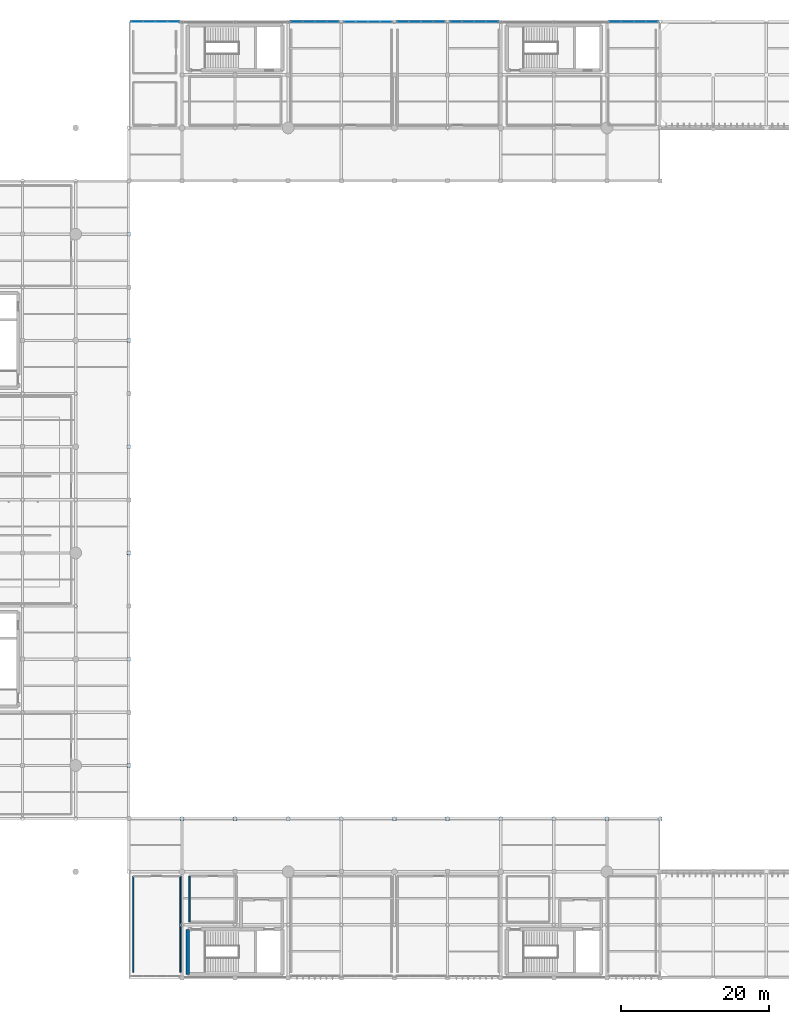
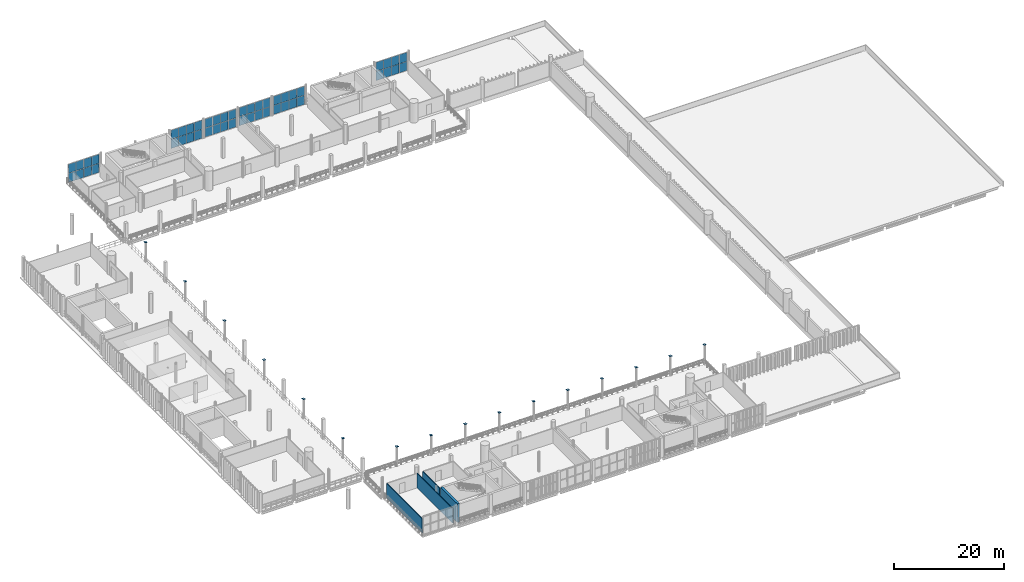
# One storey, part 56 of 81: 64 plates, 4 walls, 6 elements without a shape of their own.
"""IFC4 building model written with IfcOpenShell, lengths in metres."""

import ifcopenshell
import ifcopenshell.guid

model = None  # the IFC model being written
_history = None  # IfcOwnerHistory: only IFC2X3 demands one
_inside = {}  # id of a spatial element -> (the spatial element, [elements in it])
_under = {}  # id of a project, library or spatial element -> (it, [spatial elements below it])
_declared = {}  # id of a project -> (the project, [libraries it declares])
_typed = {}  # id of a type object -> (the type object, [elements of that type])
_made_of = {}  # id of a material, layer set ... -> (it, [elements and type objects made of it])


def new_model(schema):
    """Start an empty IFC model of exactly this schema.

    Asked for "IFC4X3", IfcOpenShell would pick the latest addendum, in which some entities
    have other attributes; the version numbers below select the first issue.
    IFC2X3 requires an IfcOwnerHistory on every rooted entity: one is made here for all.
    """
    global model, _history
    if schema == "IFC4X3":
        model = ifcopenshell.file(schema_version=(4, 3, 0, 0))
    else:
        model = ifcopenshell.file(schema=schema)
    _inside.clear()
    _under.clear()
    _declared.clear()
    _typed.clear()
    _made_of.clear()
    _history = None
    if model.schema == "IFC2X3":
        org = make("IfcOrganization", Name="unknown")
        user = make(
            "IfcPersonAndOrganization",
            ThePerson=make("IfcPerson", FamilyName="unknown"),
            TheOrganization=org,
        )
        app = make(
            "IfcApplication",
            ApplicationDeveloper=org,
            Version="unknown",
            ApplicationFullName="unknown",
            ApplicationIdentifier="unknown",
        )
        _history = make(
            "IfcOwnerHistory",
            OwningUser=user,
            OwningApplication=app,
            ChangeAction="ADDED",
            CreationDate=0,
        )
    return model


def make(cls, **values):
    """One entity of the class cls with the attributes given. An attribute that is None is left unset."""
    return model.create_entity(
        cls, **{name: value for name, value in values.items() if value is not None}
    )


def rooted(cls, **values):
    """An entity with a GlobalId (a new one), such as an element, a storey or a relation."""
    return make(cls, GlobalId=ifcopenshell.guid.new(), OwnerHistory=_history, **values)


def si_unit(unit_type, name, prefix=None):
    """IfcSIUnit, for example si_unit("LENGTHUNIT", "METRE", prefix="MILLI")."""
    return make("IfcSIUnit", UnitType=unit_type, Prefix=prefix, Name=name)


def assignment(units):
    """IfcUnitAssignment: the units of a project."""
    return None if units is None else make("IfcUnitAssignment", Units=units)


def point(xyz):
    """IfcCartesianPoint."""
    return None if xyz is None else make("IfcCartesianPoint", Coordinates=xyz)


def direction(xyz):
    """IfcDirection."""
    return None if xyz is None else make("IfcDirection", DirectionRatios=xyz)


def frame(location, z_axis=None, x_axis=None):
    """IfcAxis2Placement3D, a coordinate frame: its origin and axes. An axis left out is left unset."""
    return make(
        "IfcAxis2Placement3D",
        Location=point(location),
        Axis=direction(z_axis),
        RefDirection=direction(x_axis),
    )


def frame_2d(location, x_axis=None):
    """IfcAxis2Placement2D, a coordinate frame in the plane: its origin and x axis."""
    return make(
        "IfcAxis2Placement2D", Location=point(location), RefDirection=direction(x_axis)
    )


def origin():
    """The frame at (0, 0, 0) with its axes left unset."""
    return frame((0.0, 0.0, 0.0))


def origin_2d():
    """The frame at (0, 0) in the plane with its x axis left unset."""
    return frame_2d((0.0, 0.0))


def place(relative_to, where):
    """IfcLocalPlacement: puts the frame where relative to a parent placement (None: the world)."""
    return make(
        "IfcLocalPlacement", PlacementRelTo=relative_to, RelativePlacement=where
    )


def context(
    kind, dimensions, precision=None, world=None, true_north=None, identifier=None
):
    """IfcGeometricRepresentationContext, for example the 3D "Model" context."""
    return make(
        "IfcGeometricRepresentationContext",
        ContextIdentifier=identifier,
        ContextType=kind,
        CoordinateSpaceDimension=dimensions,
        Precision=precision,
        WorldCoordinateSystem=world,
        TrueNorth=true_north,
    )


def subcontext(parent, identifier, kind, view, scale=None):
    """IfcGeometricRepresentationSubContext, for example "Body" below "Model"."""
    return make(
        "IfcGeometricRepresentationSubContext",
        ContextIdentifier=identifier,
        ContextType=kind,
        ParentContext=parent,
        TargetScale=scale,
        TargetView=view,
    )


def project(units=None, contexts=None):
    """IfcProject with its units and contexts."""
    return rooted(
        "IfcProject",
        Name="project",
        RepresentationContexts=contexts,
        UnitsInContext=assignment(units),
    )


def spatial(cls, under=None, at=None, **own):
    """A site, building, storey or space (cls), placed at a placement, below another one or the project."""
    s = rooted(cls, ObjectPlacement=at, **own)
    if under is not None:
        _under.setdefault(under.id(), (under, []))[1].append(s)
    return s


def profile(cls, at=None, kind="AREA", **sizes):
    """A parametric profile (cls). Its sizes go by their IFC names, for example OverallWidth=200.0."""
    return make(cls, ProfileType=kind, Position=at, **sizes)


def rectangle(**sizes):
    """IfcRectangleProfileDef."""
    return profile("IfcRectangleProfileDef", **sizes)


def extrude(swept, where, along, depth):
    """IfcExtrudedAreaSolid: the profile swept, set in the frame where, extruded along a direction by depth."""
    return make(
        "IfcExtrudedAreaSolid",
        SweptArea=swept,
        Position=where,
        ExtrudedDirection=direction(along),
        Depth=depth,
    )


def shape(context_of_items, identifier, shape_type, items):
    """IfcShapeRepresentation: the items that make up one representation, for example the "Body"."""
    return make(
        "IfcShapeRepresentation",
        ContextOfItems=context_of_items,
        RepresentationIdentifier=identifier,
        RepresentationType=shape_type,
        Items=items,
    )


def material(Name=None, Category=None):
    """IfcMaterial."""
    return make("IfcMaterial", Name=Name, Category=Category)


def layer(
    of_material, thickness, ventilated=None, Name=None, Category=None, Priority=None
):
    """IfcMaterialLayer: one layer of a wall or slab, of a material (None: an air gap)."""
    return make(
        "IfcMaterialLayer",
        Material=of_material,
        LayerThickness=thickness,
        IsVentilated=ventilated,
        Name=Name,
        Category=Category,
        Priority=Priority,
    )


def layer_set(layers, Name=None):
    """IfcMaterialLayerSet."""
    return make("IfcMaterialLayerSet", MaterialLayers=layers, LayerSetName=Name)


def made_of(thing, what):
    """Note that an element or type object is made of a material, layer set ...; save() writes the relation."""
    if what is not None:
        _made_of.setdefault(what.id(), (what, []))[1].append(thing)
    return thing


def type_object(cls, material=None, **own):
    """A type object (cls), such as IfcWallType, which elements share."""
    return made_of(rooted(cls, **own), material)


def element(
    cls,
    number,
    at=None,
    inside=None,
    cuts=None,
    type_object=None,
    material=None,
    context=None,
    identifier="Body",
    shape_type=None,
    held_by="IfcProductDefinitionShape",
    body=None,
    shapes=None,
    **own,
):
    """One element of the class cls, such as IfcWall. Its Tag is "e" and its number.

    at: its placement. inside: the storey or other place that contains it. cuts: it is an
    opening in that element (IfcRelVoidsElement). A single representation is given by context,
    identifier, shape_type and body (its items); several are given by shapes. held_by: the class
    of the entity that holds the representations. save() writes the other relations.
    """
    e = rooted(cls, Tag="e%d" % number, ObjectPlacement=at, **own)
    if body is not None:
        shapes = [shape(context, identifier, shape_type, body)]
    if shapes is not None:
        e.Representation = make(held_by, Representations=shapes)
    if inside is not None:
        _inside.setdefault(inside.id(), (inside, []))[1].append(e)
    if cuts is not None:
        rooted(
            "IfcRelVoidsElement", RelatingBuildingElement=cuts, RelatedOpeningElement=e
        )
    if type_object is not None:
        _typed.setdefault(type_object.id(), (type_object, []))[1].append(e)
    return made_of(e, material)


def aggregate(whole, parts):
    """IfcRelAggregates: a whole, such as a stair, and the parts it consists of."""
    return rooted("IfcRelAggregates", RelatingObject=whole, RelatedObjects=parts)


def save(model, path):
    """Write the relations noted so far, then the file.

    IfcRelAggregates (storeys below a building ...), IfcRelContainedInSpatialStructure (elements
    in a storey), IfcRelDefinesByType, IfcRelAssociatesMaterial and IfcRelDeclares: one each for
    every whole, place, type object, material and project.
    """
    for whole, parts in _under.values():
        aggregate(whole, parts)
    for where, things in _inside.values():
        rooted(
            "IfcRelContainedInSpatialStructure",
            RelatedElements=things,
            RelatingStructure=where,
        )
    for kind, things in _typed.values():
        rooted("IfcRelDefinesByType", RelatedObjects=things, RelatingType=kind)
    for what, things in _made_of.values():
        rooted("IfcRelAssociatesMaterial", RelatedObjects=things, RelatingMaterial=what)
    for by, libraries in _declared.values():
        rooted("IfcRelDeclares", RelatingContext=by, RelatedDefinitions=libraries)
    model.write(path)


model = new_model("IFC4")

# Units and contexts
model_context = context("Model", 3, precision=1e-05, world=origin(), true_north=direction((0.0, 1.0)))
body_context = subcontext(model_context, "Body", "Model", "MODEL_VIEW")
ifc_project = project(units=[si_unit("LENGTHUNIT", "METRE"), si_unit("AREAUNIT", "SQUARE_METRE"), si_unit("VOLUMEUNIT", "CUBIC_METRE"), si_unit("PLANEANGLEUNIT", "RADIAN"), si_unit("MASSUNIT", "GRAM", prefix="KILO")], contexts=[model_context])

# Site, building, storey
site_placement = place(None, origin())
site = spatial("IfcSite", under=ifc_project, at=site_placement, CompositionType="ELEMENT")
building_placement = place(site_placement, origin())
building = spatial("IfcBuilding", under=site, at=building_placement, Name="Qandorah Velis Arena", CompositionType="ELEMENT")
storey_placement = place(building_placement, frame((0.0, 0.0, 18.60009765625)))
storey = spatial("IfcBuildingStorey", under=building, at=storey_placement, Name="L04", CompositionType="ELEMENT", Elevation=18.60009765625)

# Curtain wall, plates
ifc_material_1 = material(Name="Solar-control low-E double glazing", Category="glass")
curtain_wall_type_1 = type_object("IfcCurtainWallType", Name="ARC-CW-SYS22", PredefinedType="USERDEFINED", material=ifc_material_1)
curtain_wall_1_placement = place(storey_placement, origin())
curtain_wall_1 = element("IfcCurtainWall", 1, at=curtain_wall_1_placement, inside=storey, type_object=curtain_wall_type_1, Name="Unitised curtain wall L04-094", ObjectType="UNITISED CURTAIN WALL", PredefinedType="USERDEFINED")
ifc_layer_1 = layer(ifc_material_1, 0.02392578125)
ifc_layer_set_1 = layer_set([ifc_layer_1], Name="Solar-control low-E double glazing")
plate_type_1 = type_object("IfcPlateType", Name="ARC-CWP-GLZ24", PredefinedType="CURTAIN_PANEL", material=ifc_layer_set_1)
plate_1_placement = place(storey_placement, frame((58.7412109375, 129.60009765625, 0.054931640625), z_axis=(0.0, 0.0, 1.0), x_axis=(1.0, 0.0, 0.0)))
plate_1 = element("IfcPlate", 2, at=plate_1_placement, type_object=plate_type_1, Name="CW22 panel 1.1", PredefinedType="CURTAIN_PANEL", context=body_context, shape_type="SweptSolid", body=[
    extrude(rectangle(XDim=1.572509765625, YDim=0.02392578125, at=origin_2d()), origin(), (0.0, 0.0, 1.0), 1.99755859375),
])
plate_2_placement = place(storey_placement, frame((58.7412109375, 129.60009765625, 2.097412109375), z_axis=(0.0, 0.0, 1.0), x_axis=(1.0, 0.0, 0.0)))
plate_2 = element("IfcPlate", 3, at=plate_2_placement, type_object=plate_type_1, Name="CW22 panel 1.2", PredefinedType="CURTAIN_PANEL", context=body_context, shape_type="SweptSolid", body=[
    extrude(rectangle(XDim=1.572509765625, YDim=0.02392578125, at=origin_2d()), origin(), (0.0, 0.0, 1.0), 1.99755859375),
])
plate_3_placement = place(storey_placement, frame((60.375, 129.60009765625, 0.054931640625), z_axis=(0.0, 0.0, 1.0), x_axis=(1.0, 0.0, 0.0)))
plate_3 = element("IfcPlate", 4, at=plate_3_placement, type_object=plate_type_1, Name="CW22 panel 2.1", PredefinedType="CURTAIN_PANEL", context=body_context, shape_type="SweptSolid", body=[
    extrude(rectangle(XDim=1.60498046875, YDim=0.02392578125, at=origin_2d()), origin(), (0.0, 0.0, 1.0), 1.99755859375),
])
plate_4_placement = place(storey_placement, frame((60.375, 129.60009765625, 2.097412109375), z_axis=(0.0, 0.0, 1.0), x_axis=(1.0, 0.0, 0.0)))
plate_4 = element("IfcPlate", 5, at=plate_4_placement, type_object=plate_type_1, Name="CW22 panel 2.2", PredefinedType="CURTAIN_PANEL", context=body_context, shape_type="SweptSolid", body=[
    extrude(rectangle(XDim=1.60498046875, YDim=0.02392578125, at=origin_2d()), origin(), (0.0, 0.0, 1.0), 1.99755859375),
])
plate_5_placement = place(storey_placement, frame((62.02490234375, 129.60009765625, 0.054931640625), z_axis=(0.0, 0.0, 1.0), x_axis=(1.0, 0.0, 0.0)))
plate_5 = element("IfcPlate", 6, at=plate_5_placement, type_object=plate_type_1, Name="CW22 panel 3.1", PredefinedType="CURTAIN_PANEL", context=body_context, shape_type="SweptSolid", body=[
    extrude(rectangle(XDim=1.60498046875, YDim=0.02392578125, at=origin_2d()), origin(), (0.0, 0.0, 1.0), 1.99755859375),
])
plate_6_placement = place(storey_placement, frame((62.02490234375, 129.60009765625, 2.097412109375), z_axis=(0.0, 0.0, 1.0), x_axis=(1.0, 0.0, 0.0)))
plate_6 = element("IfcPlate", 7, at=plate_6_placement, type_object=plate_type_1, Name="CW22 panel 3.2", PredefinedType="CURTAIN_PANEL", context=body_context, shape_type="SweptSolid", body=[
    extrude(rectangle(XDim=1.60498046875, YDim=0.02392578125, at=origin_2d()), origin(), (0.0, 0.0, 1.0), 1.99755859375),
])
plate_7_placement = place(storey_placement, frame((63.65869140625, 129.60009765625, 0.054931640625), z_axis=(0.0, 0.0, 1.0), x_axis=(1.0, 0.0, 0.0)))
plate_7 = element("IfcPlate", 8, at=plate_7_placement, type_object=plate_type_1, Name="CW22 panel 4.1", PredefinedType="CURTAIN_PANEL", context=body_context, shape_type="SweptSolid", body=[
    extrude(rectangle(XDim=1.572509765625, YDim=0.02392578125, at=origin_2d()), origin(), (0.0, 0.0, 1.0), 1.99755859375),
])
plate_8_placement = place(storey_placement, frame((63.65869140625, 129.60009765625, 2.097412109375), z_axis=(0.0, 0.0, 1.0), x_axis=(1.0, 0.0, 0.0)))
plate_8 = element("IfcPlate", 9, at=plate_8_placement, type_object=plate_type_1, Name="CW22 panel 4.2", PredefinedType="CURTAIN_PANEL", context=body_context, shape_type="SweptSolid", body=[
    extrude(rectangle(XDim=1.572509765625, YDim=0.02392578125, at=origin_2d()), origin(), (0.0, 0.0, 1.0), 1.99755859375),
])
aggregate(curtain_wall_1, [plate_1, plate_2, plate_3, plate_4, plate_5, plate_6, plate_7, plate_8])

curtain_wall_type_2 = type_object("IfcCurtainWallType", Name="ARC-CW-SYS21", PredefinedType="USERDEFINED", material=ifc_material_1)
curtain_wall_2_placement = place(storey_placement, origin())
curtain_wall_2 = element("IfcCurtainWall", 10, at=curtain_wall_2_placement, inside=storey, type_object=curtain_wall_type_2, Name="Unitised curtain wall L04-093", ObjectType="UNITISED CURTAIN WALL", PredefinedType="USERDEFINED")
ifc_layer_2 = layer(ifc_material_1, 0.028076171875)
ifc_layer_set_2 = layer_set([ifc_layer_2], Name="Solar-control low-E double glazing")
plate_type_2 = type_object("IfcPlateType", Name="ARC-CWP-GLZ28", PredefinedType="CURTAIN_PANEL", material=ifc_layer_set_2)
plate_9_placement = place(storey_placement, frame((51.543701171875, 129.60009765625, 0.06494140625), z_axis=(0.0, 0.0, 1.0), x_axis=(1.0, 0.0, 0.0)))
plate_9 = element("IfcPlate", 11, at=plate_9_placement, type_object=plate_type_2, Name="CW21 panel 1.1", PredefinedType="CURTAIN_PANEL", context=body_context, shape_type="SweptSolid", body=[
    extrude(rectangle(XDim=1.5576171875, YDim=0.028076171875, at=origin_2d()), origin(), (0.0, 0.0, 1.0), 1.982421875),
])
plate_10_placement = place(storey_placement, frame((51.543701171875, 129.60009765625, 2.1025390625), z_axis=(0.0, 0.0, 1.0), x_axis=(1.0, 0.0, 0.0)))
plate_10 = element("IfcPlate", 12, at=plate_10_placement, type_object=plate_type_2, Name="CW21 panel 1.2", PredefinedType="CURTAIN_PANEL", context=body_context, shape_type="SweptSolid", body=[
    extrude(rectangle(XDim=1.5576171875, YDim=0.028076171875, at=origin_2d()), origin(), (0.0, 0.0, 1.0), 1.982421875),
])
plate_11_placement = place(storey_placement, frame((53.175048828125, 129.60009765625, 0.06494140625), z_axis=(0.0, 0.0, 1.0), x_axis=(1.0, 0.0, 0.0)))
plate_11 = element("IfcPlate", 13, at=plate_11_placement, type_object=plate_type_2, Name="CW21 panel 2.1", PredefinedType="CURTAIN_PANEL", context=body_context, shape_type="SweptSolid", body=[
    extrude(rectangle(XDim=1.594970703125, YDim=0.028076171875, at=origin_2d()), origin(), (0.0, 0.0, 1.0), 1.982421875),
])
plate_12_placement = place(storey_placement, frame((53.175048828125, 129.60009765625, 2.1025390625), z_axis=(0.0, 0.0, 1.0), x_axis=(1.0, 0.0, 0.0)))
plate_12 = element("IfcPlate", 14, at=plate_12_placement, type_object=plate_type_2, Name="CW21 panel 2.2", PredefinedType="CURTAIN_PANEL", context=body_context, shape_type="SweptSolid", body=[
    extrude(rectangle(XDim=1.594970703125, YDim=0.028076171875, at=origin_2d()), origin(), (0.0, 0.0, 1.0), 1.982421875),
])
plate_13_placement = place(storey_placement, frame((54.824951171875, 129.60009765625, 0.06494140625), z_axis=(0.0, 0.0, 1.0), x_axis=(1.0, 0.0, 0.0)))
plate_13 = element("IfcPlate", 15, at=plate_13_placement, type_object=plate_type_2, Name="CW21 panel 3.1", PredefinedType="CURTAIN_PANEL", context=body_context, shape_type="SweptSolid", body=[
    extrude(rectangle(XDim=1.594970703125, YDim=0.028076171875, at=origin_2d()), origin(), (0.0, 0.0, 1.0), 1.982421875),
])
plate_14_placement = place(storey_placement, frame((54.824951171875, 129.60009765625, 2.1025390625), z_axis=(0.0, 0.0, 1.0), x_axis=(1.0, 0.0, 0.0)))
plate_14 = element("IfcPlate", 16, at=plate_14_placement, type_object=plate_type_2, Name="CW21 panel 3.2", PredefinedType="CURTAIN_PANEL", context=body_context, shape_type="SweptSolid", body=[
    extrude(rectangle(XDim=1.594970703125, YDim=0.028076171875, at=origin_2d()), origin(), (0.0, 0.0, 1.0), 1.982421875),
])
plate_15_placement = place(storey_placement, frame((56.456298828125, 129.60009765625, 0.06494140625), z_axis=(0.0, 0.0, 1.0), x_axis=(1.0, 0.0, 0.0)))
plate_15 = element("IfcPlate", 17, at=plate_15_placement, type_object=plate_type_2, Name="CW21 panel 4.1", PredefinedType="CURTAIN_PANEL", context=body_context, shape_type="SweptSolid", body=[
    extrude(rectangle(XDim=1.5576171875, YDim=0.028076171875, at=origin_2d()), origin(), (0.0, 0.0, 1.0), 1.982421875),
])
plate_16_placement = place(storey_placement, frame((56.456298828125, 129.60009765625, 2.1025390625), z_axis=(0.0, 0.0, 1.0), x_axis=(1.0, 0.0, 0.0)))
plate_16 = element("IfcPlate", 18, at=plate_16_placement, type_object=plate_type_2, Name="CW21 panel 4.2", PredefinedType="CURTAIN_PANEL", context=body_context, shape_type="SweptSolid", body=[
    extrude(rectangle(XDim=1.5576171875, YDim=0.028076171875, at=origin_2d()), origin(), (0.0, 0.0, 1.0), 1.982421875),
])
aggregate(curtain_wall_2, [plate_9, plate_10, plate_11, plate_12, plate_13, plate_14, plate_15, plate_16])

curtain_wall_type_3 = type_object("IfcCurtainWallType", Name="ARC-CW-SYS20", PredefinedType="USERDEFINED", material=ifc_material_1)
curtain_wall_3_placement = place(storey_placement, origin())
curtain_wall_3 = element("IfcCurtainWall", 19, at=curtain_wall_3_placement, inside=storey, type_object=curtain_wall_type_3, Name="Unitised curtain wall L04-092", ObjectType="UNITISED CURTAIN WALL", PredefinedType="USERDEFINED")
ifc_layer_3 = layer(ifc_material_1, 0.030029296875)
ifc_layer_set_3 = layer_set([ifc_layer_3], Name="Solar-control low-E double glazing")
plate_type_3 = type_object("IfcPlateType", Name="ARC-CWP-GLZ30", PredefinedType="CURTAIN_PANEL", material=ifc_layer_set_3)
plate_17_placement = place(storey_placement, frame((44.3388671875, 129.60009765625, 0.044921875), z_axis=(0.0, 0.0, 1.0), x_axis=(1.0, 0.0, 0.0)))
plate_17 = element("IfcPlate", 20, at=plate_17_placement, type_object=plate_type_3, Name="CW20 panel 1.1", PredefinedType="CURTAIN_PANEL", context=body_context, shape_type="SweptSolid", body=[
    extrude(rectangle(XDim=1.58740234375, YDim=0.030029296875, at=origin_2d()), origin(), (0.0, 0.0, 1.0), 2.012451171875),
])
plate_18_placement = place(storey_placement, frame((44.3388671875, 129.60009765625, 2.09228515625), z_axis=(0.0, 0.0, 1.0), x_axis=(1.0, 0.0, 0.0)))
plate_18 = element("IfcPlate", 21, at=plate_18_placement, type_object=plate_type_3, Name="CW20 panel 1.2", PredefinedType="CURTAIN_PANEL", context=body_context, shape_type="SweptSolid", body=[
    extrude(rectangle(XDim=1.58740234375, YDim=0.030029296875, at=origin_2d()), origin(), (0.0, 0.0, 1.0), 2.012451171875),
])
plate_19_placement = place(storey_placement, frame((45.97509765625, 129.60009765625, 0.044921875), z_axis=(0.0, 0.0, 1.0), x_axis=(1.0, 0.0, 0.0)))
plate_19 = element("IfcPlate", 22, at=plate_19_placement, type_object=plate_type_3, Name="CW20 panel 2.1", PredefinedType="CURTAIN_PANEL", context=body_context, shape_type="SweptSolid", body=[
    extrude(rectangle(XDim=1.614990234375, YDim=0.030029296875, at=origin_2d()), origin(), (0.0, 0.0, 1.0), 2.012451171875),
])
plate_20_placement = place(storey_placement, frame((45.97509765625, 129.60009765625, 2.09228515625), z_axis=(0.0, 0.0, 1.0), x_axis=(1.0, 0.0, 0.0)))
plate_20 = element("IfcPlate", 23, at=plate_20_placement, type_object=plate_type_3, Name="CW20 panel 2.2", PredefinedType="CURTAIN_PANEL", context=body_context, shape_type="SweptSolid", body=[
    extrude(rectangle(XDim=1.614990234375, YDim=0.030029296875, at=origin_2d()), origin(), (0.0, 0.0, 1.0), 2.012451171875),
])
plate_21_placement = place(storey_placement, frame((47.625, 129.60009765625, 0.044921875), z_axis=(0.0, 0.0, 1.0), x_axis=(1.0, 0.0, 0.0)))
plate_21 = element("IfcPlate", 24, at=plate_21_placement, type_object=plate_type_3, Name="CW20 panel 3.1", PredefinedType="CURTAIN_PANEL", context=body_context, shape_type="SweptSolid", body=[
    extrude(rectangle(XDim=1.614990234375, YDim=0.030029296875, at=origin_2d()), origin(), (0.0, 0.0, 1.0), 2.012451171875),
])
plate_22_placement = place(storey_placement, frame((47.625, 129.60009765625, 2.09228515625), z_axis=(0.0, 0.0, 1.0), x_axis=(1.0, 0.0, 0.0)))
plate_22 = element("IfcPlate", 25, at=plate_22_placement, type_object=plate_type_3, Name="CW20 panel 3.2", PredefinedType="CURTAIN_PANEL", context=body_context, shape_type="SweptSolid", body=[
    extrude(rectangle(XDim=1.614990234375, YDim=0.030029296875, at=origin_2d()), origin(), (0.0, 0.0, 1.0), 2.012451171875),
])
plate_23_placement = place(storey_placement, frame((49.26123046875, 129.60009765625, 0.044921875), z_axis=(0.0, 0.0, 1.0), x_axis=(1.0, 0.0, 0.0)))
plate_23 = element("IfcPlate", 26, at=plate_23_placement, type_object=plate_type_3, Name="CW20 panel 4.1", PredefinedType="CURTAIN_PANEL", context=body_context, shape_type="SweptSolid", body=[
    extrude(rectangle(XDim=1.58740234375, YDim=0.030029296875, at=origin_2d()), origin(), (0.0, 0.0, 1.0), 2.012451171875),
])
plate_24_placement = place(storey_placement, frame((49.26123046875, 129.60009765625, 2.09228515625), z_axis=(0.0, 0.0, 1.0), x_axis=(1.0, 0.0, 0.0)))
plate_24 = element("IfcPlate", 27, at=plate_24_placement, type_object=plate_type_3, Name="CW20 panel 4.2", PredefinedType="CURTAIN_PANEL", context=body_context, shape_type="SweptSolid", body=[
    extrude(rectangle(XDim=1.58740234375, YDim=0.030029296875, at=origin_2d()), origin(), (0.0, 0.0, 1.0), 2.012451171875),
])
aggregate(curtain_wall_3, [plate_17, plate_18, plate_19, plate_20, plate_21, plate_22, plate_23, plate_24])

curtain_wall_type_4 = type_object("IfcCurtainWallType", Name="ARC-CW-SYS19", PredefinedType="USERDEFINED", material=ifc_material_1)
curtain_wall_4_placement = place(storey_placement, origin())
curtain_wall_4 = element("IfcCurtainWall", 28, at=curtain_wall_4_placement, inside=storey, type_object=curtain_wall_type_4, Name="Unitised curtain wall L04-091", ObjectType="UNITISED CURTAIN WALL", PredefinedType="USERDEFINED")
ifc_layer_4 = layer(ifc_material_1, 0.035888671875)
ifc_layer_set_4 = layer_set([ifc_layer_4], Name="Solar-control low-E double glazing")
plate_type_4 = type_object("IfcPlateType", Name="ARC-CWP-GLZ36", PredefinedType="CURTAIN_PANEL", material=ifc_layer_set_4)
plate_25_placement = place(storey_placement, frame((22.739990234375, 129.60009765625, 0.050048828125), z_axis=(0.0, 0.0, 1.0), x_axis=(1.0, 0.0, 0.0)))
plate_25 = element("IfcPlate", 29, at=plate_25_placement, type_object=plate_type_4, Name="CW19 panel 1.1", PredefinedType="CURTAIN_PANEL", context=body_context, shape_type="SweptSolid", body=[
    extrude(rectangle(XDim=1.580078125, YDim=0.035888671875, at=origin_2d()), origin(), (0.0, 0.0, 1.0), 2.0048828125),
])
plate_26_placement = place(storey_placement, frame((22.739990234375, 129.60009765625, 2.094970703125), z_axis=(0.0, 0.0, 1.0), x_axis=(1.0, 0.0, 0.0)))
plate_26 = element("IfcPlate", 30, at=plate_26_placement, type_object=plate_type_4, Name="CW19 panel 1.2", PredefinedType="CURTAIN_PANEL", context=body_context, shape_type="SweptSolid", body=[
    extrude(rectangle(XDim=1.580078125, YDim=0.035888671875, at=origin_2d()), origin(), (0.0, 0.0, 1.0), 2.0048828125),
])
plate_27_placement = place(storey_placement, frame((24.375, 129.60009765625, 0.050048828125), z_axis=(0.0, 0.0, 1.0), x_axis=(1.0, 0.0, 0.0)))
plate_27 = element("IfcPlate", 31, at=plate_27_placement, type_object=plate_type_4, Name="CW19 panel 2.1", PredefinedType="CURTAIN_PANEL", context=body_context, shape_type="SweptSolid", body=[
    extrude(rectangle(XDim=1.610107421875, YDim=0.035888671875, at=origin_2d()), origin(), (0.0, 0.0, 1.0), 2.0048828125),
])
plate_28_placement = place(storey_placement, frame((24.375, 129.60009765625, 2.094970703125), z_axis=(0.0, 0.0, 1.0), x_axis=(1.0, 0.0, 0.0)))
plate_28 = element("IfcPlate", 32, at=plate_28_placement, type_object=plate_type_4, Name="CW19 panel 2.2", PredefinedType="CURTAIN_PANEL", context=body_context, shape_type="SweptSolid", body=[
    extrude(rectangle(XDim=1.610107421875, YDim=0.035888671875, at=origin_2d()), origin(), (0.0, 0.0, 1.0), 2.0048828125),
])
plate_29_placement = place(storey_placement, frame((26.02490234375, 129.60009765625, 0.050048828125), z_axis=(0.0, 0.0, 1.0), x_axis=(1.0, 0.0, 0.0)))
plate_29 = element("IfcPlate", 33, at=plate_29_placement, type_object=plate_type_4, Name="CW19 panel 3.1", PredefinedType="CURTAIN_PANEL", context=body_context, shape_type="SweptSolid", body=[
    extrude(rectangle(XDim=1.610107421875, YDim=0.035888671875, at=origin_2d()), origin(), (0.0, 0.0, 1.0), 2.0048828125),
])
plate_30_placement = place(storey_placement, frame((26.02490234375, 129.60009765625, 2.094970703125), z_axis=(0.0, 0.0, 1.0), x_axis=(1.0, 0.0, 0.0)))
plate_30 = element("IfcPlate", 34, at=plate_30_placement, type_object=plate_type_4, Name="CW19 panel 3.2", PredefinedType="CURTAIN_PANEL", context=body_context, shape_type="SweptSolid", body=[
    extrude(rectangle(XDim=1.610107421875, YDim=0.035888671875, at=origin_2d()), origin(), (0.0, 0.0, 1.0), 2.0048828125),
])
plate_31_placement = place(storey_placement, frame((27.659912109375, 129.60009765625, 0.050048828125), z_axis=(0.0, 0.0, 1.0), x_axis=(1.0, 0.0, 0.0)))
plate_31 = element("IfcPlate", 35, at=plate_31_placement, type_object=plate_type_4, Name="CW19 panel 4.1", PredefinedType="CURTAIN_PANEL", context=body_context, shape_type="SweptSolid", body=[
    extrude(rectangle(XDim=1.580078125, YDim=0.035888671875, at=origin_2d()), origin(), (0.0, 0.0, 1.0), 2.0048828125),
])
plate_32_placement = place(storey_placement, frame((27.659912109375, 129.60009765625, 2.094970703125), z_axis=(0.0, 0.0, 1.0), x_axis=(1.0, 0.0, 0.0)))
plate_32 = element("IfcPlate", 36, at=plate_32_placement, type_object=plate_type_4, Name="CW19 panel 4.2", PredefinedType="CURTAIN_PANEL", context=body_context, shape_type="SweptSolid", body=[
    extrude(rectangle(XDim=1.580078125, YDim=0.035888671875, at=origin_2d()), origin(), (0.0, 0.0, 1.0), 2.0048828125),
])
aggregate(curtain_wall_4, [plate_25, plate_26, plate_27, plate_28, plate_29, plate_30, plate_31, plate_32])

curtain_wall_type_5 = type_object("IfcCurtainWallType", Name="ARC-CW-SYS24", PredefinedType="USERDEFINED", material=ifc_material_1)
curtain_wall_5_placement = place(storey_placement, origin())
curtain_wall_5 = element("IfcCurtainWall", 37, at=curtain_wall_5_placement, inside=storey, type_object=curtain_wall_type_5, Name="Unitised curtain wall L04-096", ObjectType="UNITISED CURTAIN WALL", PredefinedType="USERDEFINED")
plate_33_placement = place(storey_placement, frame((87.538818359375, 129.60009765625, 0.044921875), z_axis=(0.0, 0.0, 1.0), x_axis=(1.0, 0.0, 0.0)))
plate_33 = element("IfcPlate", 38, at=plate_33_placement, type_object=plate_type_4, Name="CW24 panel 1.1", PredefinedType="CURTAIN_PANEL", context=body_context, shape_type="SweptSolid", body=[
    extrude(rectangle(XDim=1.58740234375, YDim=0.035888671875, at=origin_2d()), origin(), (0.0, 0.0, 1.0), 2.012451171875),
])
plate_34_placement = place(storey_placement, frame((87.538818359375, 129.60009765625, 2.09228515625), z_axis=(0.0, 0.0, 1.0), x_axis=(1.0, 0.0, 0.0)))
plate_34 = element("IfcPlate", 39, at=plate_34_placement, type_object=plate_type_4, Name="CW24 panel 1.2", PredefinedType="CURTAIN_PANEL", context=body_context, shape_type="SweptSolid", body=[
    extrude(rectangle(XDim=1.58740234375, YDim=0.035888671875, at=origin_2d()), origin(), (0.0, 0.0, 1.0), 2.012451171875),
])
plate_35_placement = place(storey_placement, frame((89.175048828125, 129.60009765625, 0.044921875), z_axis=(0.0, 0.0, 1.0), x_axis=(1.0, 0.0, 0.0)))
plate_35 = element("IfcPlate", 40, at=plate_35_placement, type_object=plate_type_4, Name="CW24 panel 2.1", PredefinedType="CURTAIN_PANEL", context=body_context, shape_type="SweptSolid", body=[
    extrude(rectangle(XDim=1.614990234375, YDim=0.035888671875, at=origin_2d()), origin(), (0.0, 0.0, 1.0), 2.012451171875),
])
plate_36_placement = place(storey_placement, frame((89.175048828125, 129.60009765625, 2.09228515625), z_axis=(0.0, 0.0, 1.0), x_axis=(1.0, 0.0, 0.0)))
plate_36 = element("IfcPlate", 41, at=plate_36_placement, type_object=plate_type_4, Name="CW24 panel 2.2", PredefinedType="CURTAIN_PANEL", context=body_context, shape_type="SweptSolid", body=[
    extrude(rectangle(XDim=1.614990234375, YDim=0.035888671875, at=origin_2d()), origin(), (0.0, 0.0, 1.0), 2.012451171875),
])
plate_37_placement = place(storey_placement, frame((90.824951171875, 129.60009765625, 0.044921875), z_axis=(0.0, 0.0, 1.0), x_axis=(1.0, 0.0, 0.0)))
plate_37 = element("IfcPlate", 42, at=plate_37_placement, type_object=plate_type_4, Name="CW24 panel 3.1", PredefinedType="CURTAIN_PANEL", context=body_context, shape_type="SweptSolid", body=[
    extrude(rectangle(XDim=1.614990234375, YDim=0.035888671875, at=origin_2d()), origin(), (0.0, 0.0, 1.0), 2.012451171875),
])
plate_38_placement = place(storey_placement, frame((90.824951171875, 129.60009765625, 2.09228515625), z_axis=(0.0, 0.0, 1.0), x_axis=(1.0, 0.0, 0.0)))
plate_38 = element("IfcPlate", 43, at=plate_38_placement, type_object=plate_type_4, Name="CW24 panel 3.2", PredefinedType="CURTAIN_PANEL", context=body_context, shape_type="SweptSolid", body=[
    extrude(rectangle(XDim=1.614990234375, YDim=0.035888671875, at=origin_2d()), origin(), (0.0, 0.0, 1.0), 2.012451171875),
])
plate_39_placement = place(storey_placement, frame((92.461181640625, 129.60009765625, 0.044921875), z_axis=(0.0, 0.0, 1.0), x_axis=(1.0, 0.0, 0.0)))
plate_39 = element("IfcPlate", 44, at=plate_39_placement, type_object=plate_type_4, Name="CW24 panel 4.1", PredefinedType="CURTAIN_PANEL", context=body_context, shape_type="SweptSolid", body=[
    extrude(rectangle(XDim=1.58740234375, YDim=0.035888671875, at=origin_2d()), origin(), (0.0, 0.0, 1.0), 2.012451171875),
])
plate_40_placement = place(storey_placement, frame((92.461181640625, 129.60009765625, 2.09228515625), z_axis=(0.0, 0.0, 1.0), x_axis=(1.0, 0.0, 0.0)))
plate_40 = element("IfcPlate", 45, at=plate_40_placement, type_object=plate_type_4, Name="CW24 panel 4.2", PredefinedType="CURTAIN_PANEL", context=body_context, shape_type="SweptSolid", body=[
    extrude(rectangle(XDim=1.58740234375, YDim=0.035888671875, at=origin_2d()), origin(), (0.0, 0.0, 1.0), 2.012451171875),
])
aggregate(curtain_wall_5, [plate_33, plate_34, plate_35, plate_36, plate_37, plate_38, plate_39, plate_40])

curtain_wall_type_6 = type_object("IfcCurtainWallType", Name="ARC-CW-SYS23", PredefinedType="USERDEFINED", material=ifc_material_1)
curtain_wall_6_placement = place(storey_placement, origin())
curtain_wall_6 = element("IfcCurtainWall", 46, at=curtain_wall_6_placement, inside=storey, type_object=curtain_wall_type_6, Name="Unitised curtain wall L04-095", ObjectType="UNITISED CURTAIN WALL", PredefinedType="USERDEFINED")
ifc_layer_5 = layer(ifc_material_1, 0.0439453125)
ifc_layer_set_5 = layer_set([ifc_layer_5], Name="Solar-control low-E double glazing")
plate_type_5 = type_object("IfcPlateType", Name="ARC-CWP-SPN44", PredefinedType="CURTAIN_PANEL", material=ifc_layer_set_5)
plate_41_placement = place(storey_placement, frame((65.93994140625, 129.60009765625, 0.050048828125), z_axis=(0.0, 0.0, 1.0), x_axis=(1.0, 0.0, 0.0)))
plate_41 = element("IfcPlate", 47, at=plate_41_placement, type_object=plate_type_5, Name="CW23 panel 1.1", PredefinedType="CURTAIN_PANEL", context=body_context, shape_type="SweptSolid", body=[
    extrude(rectangle(XDim=1.580078125, YDim=0.0439453125, at=origin_2d()), origin(), (0.0, 0.0, 1.0), 2.0048828125),
])
plate_42_placement = place(storey_placement, frame((65.93994140625, 129.60009765625, 2.094970703125), z_axis=(0.0, 0.0, 1.0), x_axis=(1.0, 0.0, 0.0)))
plate_42 = element("IfcPlate", 48, at=plate_42_placement, type_object=plate_type_5, Name="CW23 panel 1.2", PredefinedType="CURTAIN_PANEL", context=body_context, shape_type="SweptSolid", body=[
    extrude(rectangle(XDim=1.580078125, YDim=0.0439453125, at=origin_2d()), origin(), (0.0, 0.0, 1.0), 2.0048828125),
])
plate_43_placement = place(storey_placement, frame((67.574951171875, 129.60009765625, 0.050048828125), z_axis=(0.0, 0.0, 1.0), x_axis=(1.0, 0.0, 0.0)))
plate_43 = element("IfcPlate", 49, at=plate_43_placement, type_object=plate_type_5, Name="CW23 panel 2.1", PredefinedType="CURTAIN_PANEL", context=body_context, shape_type="SweptSolid", body=[
    extrude(rectangle(XDim=1.610107421875, YDim=0.0439453125, at=origin_2d()), origin(), (0.0, 0.0, 1.0), 2.0048828125),
])
plate_44_placement = place(storey_placement, frame((67.574951171875, 129.60009765625, 2.094970703125), z_axis=(0.0, 0.0, 1.0), x_axis=(1.0, 0.0, 0.0)))
plate_44 = element("IfcPlate", 50, at=plate_44_placement, type_object=plate_type_5, Name="CW23 panel 2.2", PredefinedType="CURTAIN_PANEL", context=body_context, shape_type="SweptSolid", body=[
    extrude(rectangle(XDim=1.610107421875, YDim=0.0439453125, at=origin_2d()), origin(), (0.0, 0.0, 1.0), 2.0048828125),
])
plate_45_placement = place(storey_placement, frame((69.22509765625, 129.60009765625, 0.050048828125), z_axis=(0.0, 0.0, 1.0), x_axis=(1.0, 0.0, 0.0)))
plate_45 = element("IfcPlate", 51, at=plate_45_placement, type_object=plate_type_5, Name="CW23 panel 3.1", PredefinedType="CURTAIN_PANEL", context=body_context, shape_type="SweptSolid", body=[
    extrude(rectangle(XDim=1.610107421875, YDim=0.0439453125, at=origin_2d()), origin(), (0.0, 0.0, 1.0), 2.0048828125),
])
plate_46_placement = place(storey_placement, frame((69.22509765625, 129.60009765625, 2.094970703125), z_axis=(0.0, 0.0, 1.0), x_axis=(1.0, 0.0, 0.0)))
plate_46 = element("IfcPlate", 52, at=plate_46_placement, type_object=plate_type_5, Name="CW23 panel 3.2", PredefinedType="CURTAIN_PANEL", context=body_context, shape_type="SweptSolid", body=[
    extrude(rectangle(XDim=1.610107421875, YDim=0.0439453125, at=origin_2d()), origin(), (0.0, 0.0, 1.0), 2.0048828125),
])
plate_47_placement = place(storey_placement, frame((70.860107421875, 129.60009765625, 0.050048828125), z_axis=(0.0, 0.0, 1.0), x_axis=(1.0, 0.0, 0.0)))
plate_47 = element("IfcPlate", 53, at=plate_47_placement, type_object=plate_type_5, Name="CW23 panel 4.1", PredefinedType="CURTAIN_PANEL", context=body_context, shape_type="SweptSolid", body=[
    extrude(rectangle(XDim=1.580078125, YDim=0.0439453125, at=origin_2d()), origin(), (0.0, 0.0, 1.0), 2.0048828125),
])
plate_48_placement = place(storey_placement, frame((70.860107421875, 129.60009765625, 2.094970703125), z_axis=(0.0, 0.0, 1.0), x_axis=(1.0, 0.0, 0.0)))
plate_48 = element("IfcPlate", 54, at=plate_48_placement, type_object=plate_type_5, Name="CW23 panel 4.2", PredefinedType="CURTAIN_PANEL", context=body_context, shape_type="SweptSolid", body=[
    extrude(rectangle(XDim=1.580078125, YDim=0.0439453125, at=origin_2d()), origin(), (0.0, 0.0, 1.0), 2.0048828125),
])
aggregate(curtain_wall_6, [plate_41, plate_42, plate_43, plate_44, plate_45, plate_46, plate_47, plate_48])

# Plates
ifc_material_2 = material(Name="Steel S355", Category="steel")
ifc_layer_6 = layer(ifc_material_2, 0.02490234375)
ifc_layer_set_6 = layer_set([ifc_layer_6], Name="Steel S355")
plate_type_6 = type_object("IfcPlateType", Name="STR-PLT-GUS25", PredefinedType="SHEET", material=ifc_layer_set_6)
for number, where, z_axis, x_axis, name in (
    (55, (21.60009765625, 28.800048828125, 4.3974609375), (0.0, 0.0, 1.0), (1.0, 0.0, 0.0), "Hollow column end cap plate L04-043"),
    (56, (21.60009765625, 43.199951171875, 4.3974609375), (0.0, 0.0, 1.0), (1.0, 0.0, 0.0), "Hollow column end cap plate L04-045"),
    (57, (21.60009765625, 57.60009765625, 4.3974609375), (0.0, 0.0, 1.0), (1.0, 0.0, 0.0), "Hollow column end cap plate L04-047"),
    (58, (21.60009765625, 72.0, 4.3974609375), (0.0, 0.0, 1.0), (1.0, 0.0, 0.0), "Hollow column end cap plate L04-049"),
    (59, (21.60009765625, 86.39990234375, 4.3974609375), (0.0, 0.0, 1.0), (1.0, 0.0, 0.0), "Hollow column end cap plate L04-051"),
    (60, (21.60009765625, 100.800048828125, 4.3974609375), (0.0, 0.0, 1.0), (1.0, 0.0, 0.0), "Hollow column end cap plate L04-053"),
    (61, (28.800048828125, 21.60009765625, 4.3974609375), (0.0, 0.0, 1.0), (1.0, 0.0, 0.0), "Hollow column end cap plate L04-059"),
    (62, (36.0, 21.60009765625, 4.3974609375), (0.0, 0.0, 1.0), (1.0, 0.0, 0.0), "Hollow column end cap plate L04-067"),
    (63, (43.199951171875, 21.60009765625, 4.3974609375), (0.0, 0.0, 1.0), (1.0, 0.0, 0.0), "Hollow column end cap plate L04-075"),
    (64, (50.39990234375, 21.60009765625, 4.3974609375), (0.0, 0.0, 1.0), (1.0, 0.0, 0.0), "Hollow column end cap plate L04-083"),
    (65, (57.60009765625, 21.60009765625, 4.3974609375), (0.0, 0.0, 1.0), (1.0, 0.0, 0.0), "Hollow column end cap plate L04-091"),
    (66, (64.800048828125, 21.60009765625, 4.3974609375), (0.0, 0.0, 1.0), (1.0, 0.0, 0.0), "Hollow column end cap plate L04-099"),
    (67, (72.0, 21.60009765625, 4.3974609375), (0.0, 0.0, 1.0), (1.0, 0.0, 0.0), "Hollow column end cap plate L04-107"),
    (68, (79.199951171875, 21.60009765625, 4.3974609375), (0.0, 0.0, 1.0), (1.0, 0.0, 0.0), "Hollow column end cap plate L04-115"),
    (69, (86.39990234375, 21.60009765625, 4.3974609375), (0.0, 0.0, 1.0), (1.0, 0.0, 0.0), "Hollow column end cap plate L04-123"),
    (70, (93.60009765625, 21.60009765625, 4.3974609375), (0.0, 0.0, 1.0), (1.0, 0.0, 0.0), "Hollow column end cap plate L04-131"),
):
    element("IfcPlate", number, at=place(storey_placement, frame(where, z_axis=z_axis, x_axis=x_axis)), inside=storey, type_object=plate_type_6, Name=name, PredefinedType="SHEET", context=body_context, shape_type="SweptSolid", body=[
        extrude(rectangle(XDim=0.4970703125, YDim=0.4970703125, at=origin_2d()), origin(), (0.0, 0.0, 1.0), 0.02490234375),
    ])

# Walls
ifc_material_3 = material(Name="Concrete C35/45", Category="concrete")
ifc_layer_7 = layer(ifc_material_3, 0.199951171875)
ifc_layer_set_7 = layer_set([ifc_layer_7], Name="Concrete C35/45")
wall_type_1 = type_object("IfcWallType", Name="ARC-WAL-FD60-200", PredefinedType="PARTITIONING", material=ifc_layer_set_7)
wall_1_placement = place(storey_placement, frame((29.800048828125, 13.800048828125, 0.0), z_axis=(0.0, 0.0, 1.0), x_axis=(0.0, -1.0, 0.0)))
element("IfcWall", 71, at=wall_1_placement, inside=storey, type_object=wall_type_1, Name="Interior partition L04-VAR-OPS (W)", PredefinedType="PARTITIONING", context=body_context, shape_type="SweptSolid", body=[
    extrude(rectangle(XDim=6.199951171875, YDim=0.199951171875, at=frame_2d((3.10009765625, 0.0))), origin(), (0.0, 0.0, 1.0), 3.2099609375),
])
ifc_layer_8 = layer(ifc_material_3, 0.14990234375)
ifc_layer_set_8 = layer_set([ifc_layer_8], Name="Concrete C35/45")
wall_type_2 = type_object("IfcWallType", Name="ARC-WAL-PART150", PredefinedType="PARTITIONING", material=ifc_layer_set_8)
for number, where, z_axis, x_axis, name in (
    (72, (28.60009765625, 0.800048828125, 0.0), (0.0, 0.0, 1.0), (0.0, 1.0, 0.0), "Interior partition L04-PHO-WRK (E)"),
    (73, (22.199951171875, 13.800048828125, 0.0), (0.0, 0.0, 1.0), (0.0, -1.0, 0.0), "Interior partition L04-PHO-WRK (W)"),
):
    element("IfcWall", number, at=place(storey_placement, frame(where, z_axis=z_axis, x_axis=x_axis)), inside=storey, type_object=wall_type_2, Name=name, PredefinedType="PARTITIONING", context=body_context, shape_type="SweptSolid", body=[
        extrude(rectangle(XDim=13.0, YDim=0.14990234375, at=frame_2d((6.5, 0.0))), origin(), (0.0, 0.0, 1.0), 3.2099609375),
    ])
ifc_material_4 = material(Name="Concrete C40/50", Category="concrete")
ifc_layer_9 = layer(ifc_material_4, 0.449951171875)
ifc_layer_set_9 = layer_set([ifc_layer_9], Name="Concrete C40/50")
wall_type_3 = type_object("IfcWallType", Name="STR-WAL-CORE450", PredefinedType="SHEAR", material=ifc_layer_set_9)
wall_2_placement = place(storey_placement, frame((29.60009765625, 0.5, 0.0), z_axis=(0.0, 0.0, 1.0), x_axis=(0.0, 1.0, 0.0)))
element("IfcWall", 74, at=wall_2_placement, inside=storey, type_object=wall_type_3, Name="Core CORE-01 shear wall W (L04)", PredefinedType="SHEAR", context=body_context, shape_type="SweptSolid", body=[
    extrude(rectangle(XDim=6.10009765625, YDim=0.449951171875, at=frame_2d((3.050048828125, 0.0))), origin(), (0.0, 0.0, 1.0), 4.14990234375),
])

save(model, "model.ifc")
